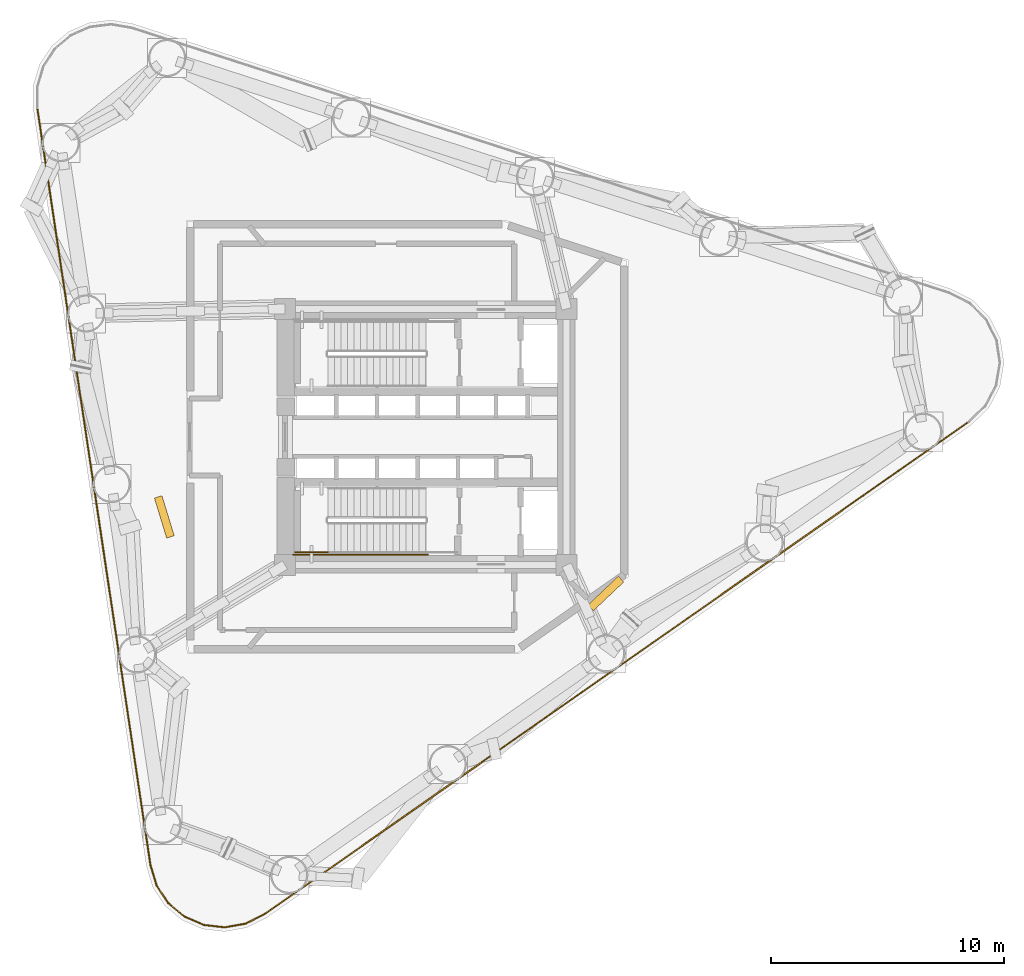
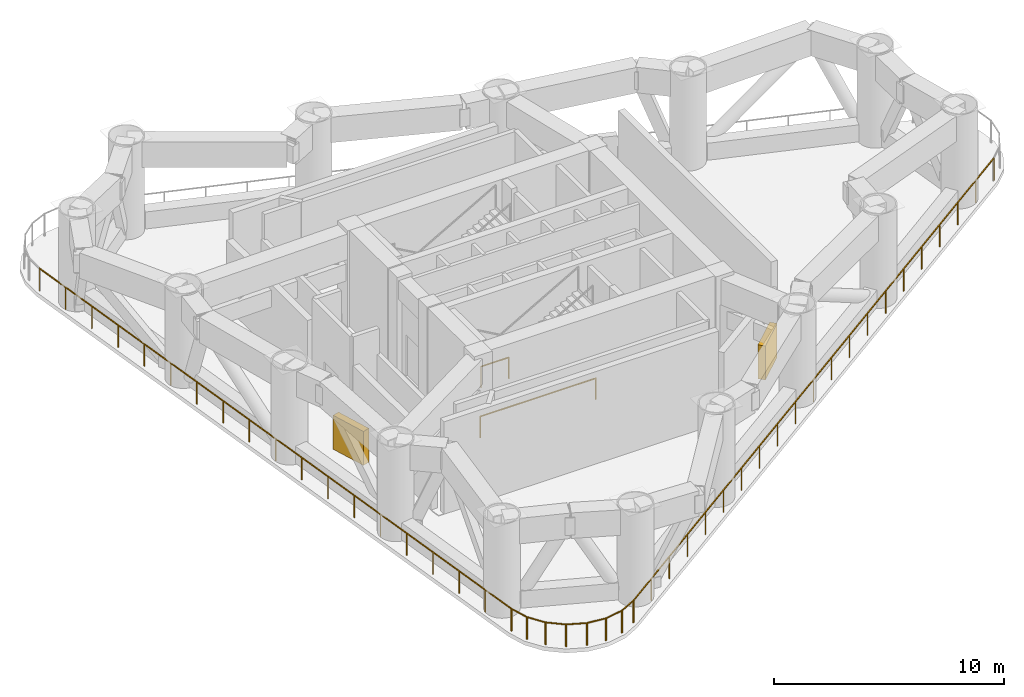
# One storey, part 6 of 8: 11 railings, 2 shading devices.
"""IFC4 building model written with IfcOpenShell, lengths in metres."""

import ifcopenshell
import ifcopenshell.guid

model = None  # the IFC model being written
_history = None  # IfcOwnerHistory: only IFC2X3 demands one
_inside = {}  # id of a spatial element -> (the spatial element, [elements in it])
_under = {}  # id of a project, library or spatial element -> (it, [spatial elements below it])
_declared = {}  # id of a project -> (the project, [libraries it declares])
_typed = {}  # id of a type object -> (the type object, [elements of that type])
_made_of = {}  # id of a material, layer set ... -> (it, [elements and type objects made of it])


def new_model(schema):
    """Start an empty IFC model of exactly this schema.

    Asked for "IFC4X3", IfcOpenShell would pick the latest addendum, in which some entities
    have other attributes; the version numbers below select the first issue.
    IFC2X3 requires an IfcOwnerHistory on every rooted entity: one is made here for all.
    """
    global model, _history
    if schema == "IFC4X3":
        model = ifcopenshell.file(schema_version=(4, 3, 0, 0))
    else:
        model = ifcopenshell.file(schema=schema)
    _inside.clear()
    _under.clear()
    _declared.clear()
    _typed.clear()
    _made_of.clear()
    _history = None
    if model.schema == "IFC2X3":
        org = make("IfcOrganization", Name="unknown")
        user = make(
            "IfcPersonAndOrganization",
            ThePerson=make("IfcPerson", FamilyName="unknown"),
            TheOrganization=org,
        )
        app = make(
            "IfcApplication",
            ApplicationDeveloper=org,
            Version="unknown",
            ApplicationFullName="unknown",
            ApplicationIdentifier="unknown",
        )
        _history = make(
            "IfcOwnerHistory",
            OwningUser=user,
            OwningApplication=app,
            ChangeAction="ADDED",
            CreationDate=0,
        )
    return model


def make(cls, **values):
    """One entity of the class cls with the attributes given. An attribute that is None is left unset."""
    return model.create_entity(
        cls, **{name: value for name, value in values.items() if value is not None}
    )


def rooted(cls, **values):
    """An entity with a GlobalId (a new one), such as an element, a storey or a relation."""
    return make(cls, GlobalId=ifcopenshell.guid.new(), OwnerHistory=_history, **values)


def si_unit(unit_type, name, prefix=None):
    """IfcSIUnit, for example si_unit("LENGTHUNIT", "METRE", prefix="MILLI")."""
    return make("IfcSIUnit", UnitType=unit_type, Prefix=prefix, Name=name)


def assignment(units):
    """IfcUnitAssignment: the units of a project."""
    return None if units is None else make("IfcUnitAssignment", Units=units)


def point(xyz):
    """IfcCartesianPoint."""
    return None if xyz is None else make("IfcCartesianPoint", Coordinates=xyz)


def direction(xyz):
    """IfcDirection."""
    return None if xyz is None else make("IfcDirection", DirectionRatios=xyz)


def frame(location, z_axis=None, x_axis=None):
    """IfcAxis2Placement3D, a coordinate frame: its origin and axes. An axis left out is left unset."""
    return make(
        "IfcAxis2Placement3D",
        Location=point(location),
        Axis=direction(z_axis),
        RefDirection=direction(x_axis),
    )


def frame_2d(location, x_axis=None):
    """IfcAxis2Placement2D, a coordinate frame in the plane: its origin and x axis."""
    return make(
        "IfcAxis2Placement2D", Location=point(location), RefDirection=direction(x_axis)
    )


def origin():
    """The frame at (0, 0, 0) with its axes left unset."""
    return frame((0.0, 0.0, 0.0))


def origin_2d():
    """The frame at (0, 0) in the plane with its x axis left unset."""
    return frame_2d((0.0, 0.0))


def place(relative_to, where):
    """IfcLocalPlacement: puts the frame where relative to a parent placement (None: the world)."""
    return make(
        "IfcLocalPlacement", PlacementRelTo=relative_to, RelativePlacement=where
    )


def context(
    kind, dimensions, precision=None, world=None, true_north=None, identifier=None
):
    """IfcGeometricRepresentationContext, for example the 3D "Model" context."""
    return make(
        "IfcGeometricRepresentationContext",
        ContextIdentifier=identifier,
        ContextType=kind,
        CoordinateSpaceDimension=dimensions,
        Precision=precision,
        WorldCoordinateSystem=world,
        TrueNorth=true_north,
    )


def subcontext(parent, identifier, kind, view, scale=None):
    """IfcGeometricRepresentationSubContext, for example "Body" below "Model"."""
    return make(
        "IfcGeometricRepresentationSubContext",
        ContextIdentifier=identifier,
        ContextType=kind,
        ParentContext=parent,
        TargetScale=scale,
        TargetView=view,
    )


def project(units=None, contexts=None):
    """IfcProject with its units and contexts."""
    return rooted(
        "IfcProject",
        Name="project",
        RepresentationContexts=contexts,
        UnitsInContext=assignment(units),
    )


def spatial(cls, under=None, at=None, **own):
    """A site, building, storey or space (cls), placed at a placement, below another one or the project."""
    s = rooted(cls, ObjectPlacement=at, **own)
    if under is not None:
        _under.setdefault(under.id(), (under, []))[1].append(s)
    return s


def profile(cls, at=None, kind="AREA", **sizes):
    """A parametric profile (cls). Its sizes go by their IFC names, for example OverallWidth=200.0."""
    return make(cls, ProfileType=kind, Position=at, **sizes)


def rectangle(**sizes):
    """IfcRectangleProfileDef."""
    return profile("IfcRectangleProfileDef", **sizes)


def extrude(swept, where, along, depth):
    """IfcExtrudedAreaSolid: the profile swept, set in the frame where, extruded along a direction by depth."""
    return make(
        "IfcExtrudedAreaSolid",
        SweptArea=swept,
        Position=where,
        ExtrudedDirection=direction(along),
        Depth=depth,
    )


def shape(context_of_items, identifier, shape_type, items):
    """IfcShapeRepresentation: the items that make up one representation, for example the "Body"."""
    return make(
        "IfcShapeRepresentation",
        ContextOfItems=context_of_items,
        RepresentationIdentifier=identifier,
        RepresentationType=shape_type,
        Items=items,
    )


def source(mapping_origin, context_of_items, identifier, shape_type, items):
    """IfcRepresentationMap: a shape defined once, which mapped items show again and again."""
    return make(
        "IfcRepresentationMap",
        MappingOrigin=mapping_origin,
        MappedRepresentation=shape(context_of_items, identifier, shape_type, items),
    )


def transform(
    local_origin,
    x_axis=None,
    y_axis=None,
    z_axis=None,
    scale=None,
    scale2=None,
    scale3=None,
    uniform=True,
):
    """IfcCartesianTransformationOperator3D, or its non-uniform kind. x_axis, y_axis, z_axis: its Axis1, 2, 3."""
    if uniform:
        return make(
            "IfcCartesianTransformationOperator3D",
            Axis1=direction(x_axis),
            Axis2=direction(y_axis),
            LocalOrigin=point(local_origin),
            Scale=scale,
            Axis3=direction(z_axis),
        )
    return make(
        "IfcCartesianTransformationOperator3DnonUniform",
        Axis1=direction(x_axis),
        Axis2=direction(y_axis),
        LocalOrigin=point(local_origin),
        Scale=scale,
        Axis3=direction(z_axis),
        Scale2=scale2,
        Scale3=scale3,
    )


def mapped(mapping_source, mapping_target):
    """IfcMappedItem: shows the shape of a source again, moved by a transform."""
    return make(
        "IfcMappedItem", MappingSource=mapping_source, MappingTarget=mapping_target
    )


def material(Name=None, Category=None):
    """IfcMaterial."""
    return make("IfcMaterial", Name=Name, Category=Category)


def layer(
    of_material, thickness, ventilated=None, Name=None, Category=None, Priority=None
):
    """IfcMaterialLayer: one layer of a wall or slab, of a material (None: an air gap)."""
    return make(
        "IfcMaterialLayer",
        Material=of_material,
        LayerThickness=thickness,
        IsVentilated=ventilated,
        Name=Name,
        Category=Category,
        Priority=Priority,
    )


def layer_set(layers, Name=None):
    """IfcMaterialLayerSet."""
    return make("IfcMaterialLayerSet", MaterialLayers=layers, LayerSetName=Name)


def made_of(thing, what):
    """Note that an element or type object is made of a material, layer set ...; save() writes the relation."""
    if what is not None:
        _made_of.setdefault(what.id(), (what, []))[1].append(thing)
    return thing


def type_object(cls, material=None, **own):
    """A type object (cls), such as IfcWallType, which elements share."""
    return made_of(rooted(cls, **own), material)


def element(
    cls,
    number,
    at=None,
    inside=None,
    cuts=None,
    type_object=None,
    material=None,
    context=None,
    identifier="Body",
    shape_type=None,
    held_by="IfcProductDefinitionShape",
    body=None,
    shapes=None,
    **own,
):
    """One element of the class cls, such as IfcWall. Its Tag is "e" and its number.

    at: its placement. inside: the storey or other place that contains it. cuts: it is an
    opening in that element (IfcRelVoidsElement). A single representation is given by context,
    identifier, shape_type and body (its items); several are given by shapes. held_by: the class
    of the entity that holds the representations. save() writes the other relations.
    """
    e = rooted(cls, Tag="e%d" % number, ObjectPlacement=at, **own)
    if body is not None:
        shapes = [shape(context, identifier, shape_type, body)]
    if shapes is not None:
        e.Representation = make(held_by, Representations=shapes)
    if inside is not None:
        _inside.setdefault(inside.id(), (inside, []))[1].append(e)
    if cuts is not None:
        rooted(
            "IfcRelVoidsElement", RelatingBuildingElement=cuts, RelatedOpeningElement=e
        )
    if type_object is not None:
        _typed.setdefault(type_object.id(), (type_object, []))[1].append(e)
    return made_of(e, material)


def aggregate(whole, parts):
    """IfcRelAggregates: a whole, such as a stair, and the parts it consists of."""
    return rooted("IfcRelAggregates", RelatingObject=whole, RelatedObjects=parts)


def save(model, path):
    """Write the relations noted so far, then the file.

    IfcRelAggregates (storeys below a building ...), IfcRelContainedInSpatialStructure (elements
    in a storey), IfcRelDefinesByType, IfcRelAssociatesMaterial and IfcRelDeclares: one each for
    every whole, place, type object, material and project.
    """
    for whole, parts in _under.values():
        aggregate(whole, parts)
    for where, things in _inside.values():
        rooted(
            "IfcRelContainedInSpatialStructure",
            RelatedElements=things,
            RelatingStructure=where,
        )
    for kind, things in _typed.values():
        rooted("IfcRelDefinesByType", RelatedObjects=things, RelatingType=kind)
    for what, things in _made_of.values():
        rooted("IfcRelAssociatesMaterial", RelatedObjects=things, RelatingMaterial=what)
    for by, libraries in _declared.values():
        rooted("IfcRelDeclares", RelatingContext=by, RelatedDefinitions=libraries)
    model.write(path)


model = new_model("IFC4")

# Units and contexts
model_context = context("Model", 3, precision=1e-05, world=origin(), true_north=direction((0.0, 1.0)))
body_context = subcontext(model_context, "Body", "Model", "MODEL_VIEW")
ifc_project = project(units=[si_unit("LENGTHUNIT", "METRE"), si_unit("AREAUNIT", "SQUARE_METRE"), si_unit("VOLUMEUNIT", "CUBIC_METRE"), si_unit("PLANEANGLEUNIT", "RADIAN"), si_unit("MASSUNIT", "GRAM", prefix="KILO")], contexts=[model_context])

# Site, building, storey
site_placement = place(None, origin())
site = spatial("IfcSite", under=ifc_project, at=site_placement, CompositionType="ELEMENT")
building_placement = place(site_placement, origin())
building = spatial("IfcBuilding", under=site, at=building_placement, Name="Yunling Apex Tower", CompositionType="ELEMENT")
storey_placement = place(building_placement, frame((0.0, 0.0, 84.800048828125)))
storey = spatial("IfcBuildingStorey", under=building, at=storey_placement, Name="RF2", CompositionType="ELEMENT", Elevation=84.800048828125)

# Railings
ifc_material_1 = material(Name="Bronze anodised aluminium", Category="aluminium")
railing_type_1 = type_object("IfcRailingType", Name="RL-BAL-1200", PredefinedType="BALUSTRADE", material=ifc_material_1)
railing_1_placement = place(storey_placement, frame((-11.8291015625, -18.40771484375, 0.0)))
element("IfcRailing", 1, at=railing_1_placement, inside=storey, type_object=railing_type_1, Name="RL-REF-RF2-01", PredefinedType="BALUSTRADE", context=body_context, shape_type="SweptSolid", body=[
    extrude(rectangle(XDim=0.0439453125, YDim=0.0439453125, at=origin_2d()), origin(), (0.0, 0.0, 1.0), 1.199951171875),
    extrude(rectangle(XDim=0.0439453125, YDim=0.0439453125, at=origin_2d()), frame((-4.864990234375, 32.552734375, 0.0)), (0.0, 0.0, 1.0), 1.199951171875),
    extrude(rectangle(XDim=0.050048828125, YDim=0.050048828125, at=origin_2d()), frame((-0.005615234375, 0.037841796875, 1.1748046875), z_axis=(-0.147807969363, 0.989016078834, 0.0), x_axis=(-0.989016078834, -0.147807969363, 0.0)), (0.0, 0.0, 1.0), 32.837646484375),
    extrude(rectangle(XDim=0.0439453125, YDim=0.0439453125, at=origin_2d()), frame((-0.270263671875, 1.80859375, 0.0)), (0.0, 0.0, 1.0), 1.14599609375),
    extrude(rectangle(XDim=0.0439453125, YDim=0.0439453125, at=origin_2d()), frame((-0.54052734375, 3.616943359375, 0.0)), (0.0, 0.0, 1.0), 1.14599609375),
    extrude(rectangle(XDim=0.0439453125, YDim=0.0439453125, at=origin_2d()), frame((-0.810791015625, 5.425537109375, 0.0)), (0.0, 0.0, 1.0), 1.14599609375),
    extrude(rectangle(XDim=0.0439453125, YDim=0.0439453125, at=origin_2d()), frame((-1.0810546875, 7.23388671875, 0.0)), (0.0, 0.0, 1.0), 1.14599609375),
    extrude(rectangle(XDim=0.0439453125, YDim=0.0439453125, at=origin_2d()), frame((-1.351318359375, 9.04248046875, 0.0)), (0.0, 0.0, 1.0), 1.14599609375),
    extrude(rectangle(XDim=0.0439453125, YDim=0.0439453125, at=origin_2d()), frame((-1.62158203125, 10.850830078125, 0.0)), (0.0, 0.0, 1.0), 1.14599609375),
    extrude(rectangle(XDim=0.0439453125, YDim=0.0439453125, at=origin_2d()), frame((-1.891845703125, 12.659423828125, 0.0)), (0.0, 0.0, 1.0), 1.14599609375),
    extrude(rectangle(XDim=0.0439453125, YDim=0.0439453125, at=origin_2d()), frame((-2.162109375, 14.4677734375, 0.0)), (0.0, 0.0, 1.0), 1.14599609375),
    extrude(rectangle(XDim=0.0439453125, YDim=0.0439453125, at=origin_2d()), frame((-2.4326171875, 16.2763671875, 0.0)), (0.0, 0.0, 1.0), 1.14599609375),
    extrude(rectangle(XDim=0.0439453125, YDim=0.0439453125, at=origin_2d()), frame((-2.702880859375, 18.0849609375, 0.0)), (0.0, 0.0, 1.0), 1.14599609375),
    extrude(rectangle(XDim=0.0439453125, YDim=0.0439453125, at=origin_2d()), frame((-2.97314453125, 19.893310546875, 0.0)), (0.0, 0.0, 1.0), 1.14599609375),
    extrude(rectangle(XDim=0.0439453125, YDim=0.0439453125, at=origin_2d()), frame((-3.243408203125, 21.701904296875, 0.0)), (0.0, 0.0, 1.0), 1.14599609375),
    extrude(rectangle(XDim=0.0439453125, YDim=0.0439453125, at=origin_2d()), frame((-3.513671875, 23.51025390625, 0.0)), (0.0, 0.0, 1.0), 1.14599609375),
    extrude(rectangle(XDim=0.0439453125, YDim=0.0439453125, at=origin_2d()), frame((-3.783935546875, 25.31884765625, 0.0)), (0.0, 0.0, 1.0), 1.14599609375),
    extrude(rectangle(XDim=0.0439453125, YDim=0.0439453125, at=origin_2d()), frame((-4.05419921875, 27.127197265625, 0.0)), (0.0, 0.0, 1.0), 1.14599609375),
    extrude(rectangle(XDim=0.0439453125, YDim=0.0439453125, at=origin_2d()), frame((-4.324462890625, 28.935791015625, 0.0)), (0.0, 0.0, 1.0), 1.14599609375),
    extrude(rectangle(XDim=0.0439453125, YDim=0.0439453125, at=origin_2d()), frame((-4.5947265625, 30.744140625, 0.0)), (0.0, 0.0, 1.0), 1.14599609375),
])
railing_2_placement = place(storey_placement, frame((23.326416015625, 0.6533203125, 0.0)))
element("IfcRailing", 2, at=railing_2_placement, inside=storey, type_object=railing_type_1, Name="RL-REF-RF2-17", PredefinedType="BALUSTRADE", context=body_context, shape_type="SweptSolid", body=[
    extrude(rectangle(XDim=0.0439453125, YDim=0.0439453125, at=origin_2d()), origin(), (0.0, 0.0, 1.0), 1.199951171875),
    extrude(rectangle(XDim=0.0439453125, YDim=0.0439453125, at=origin_2d()), frame((-30.268310546875, -21.162841796875, 0.0)), (0.0, 0.0, 1.0), 1.199951171875),
    extrude(rectangle(XDim=0.050048828125, YDim=0.050048828125, at=origin_2d()), frame((-0.031494140625, -0.02197265625, 1.1748046875), z_axis=(-0.819549492788, -0.573008402095, 0.0), x_axis=(0.573008402095, -0.819549492788, 0.0)), (0.0, 0.0, 1.0), 36.856201171875),
    extrude(rectangle(XDim=0.0439453125, YDim=0.0439453125, at=origin_2d()), frame((-1.513427734375, -1.05810546875, 0.0)), (0.0, 0.0, 1.0), 1.14599609375),
    extrude(rectangle(XDim=0.0439453125, YDim=0.0439453125, at=origin_2d()), frame((-3.02685546875, -2.1162109375, 0.0)), (0.0, 0.0, 1.0), 1.14599609375),
    extrude(rectangle(XDim=0.0439453125, YDim=0.0439453125, at=origin_2d()), frame((-4.540283203125, -3.17431640625, 0.0)), (0.0, 0.0, 1.0), 1.14599609375),
    extrude(rectangle(XDim=0.0439453125, YDim=0.0439453125, at=origin_2d()), frame((-6.0537109375, -4.232666015625, 0.0)), (0.0, 0.0, 1.0), 1.14599609375),
    extrude(rectangle(XDim=0.0439453125, YDim=0.0439453125, at=origin_2d()), frame((-7.567138671875, -5.290771484375, 0.0)), (0.0, 0.0, 1.0), 1.14599609375),
    extrude(rectangle(XDim=0.0439453125, YDim=0.0439453125, at=origin_2d()), frame((-9.08056640625, -6.348876953125, 0.0)), (0.0, 0.0, 1.0), 1.14599609375),
    extrude(rectangle(XDim=0.0439453125, YDim=0.0439453125, at=origin_2d()), frame((-10.593994140625, -7.406982421875, 0.0)), (0.0, 0.0, 1.0), 1.14599609375),
    extrude(rectangle(XDim=0.0439453125, YDim=0.0439453125, at=origin_2d()), frame((-12.107421875, -8.465087890625, 0.0)), (0.0, 0.0, 1.0), 1.14599609375),
    extrude(rectangle(XDim=0.0439453125, YDim=0.0439453125, at=origin_2d()), frame((-13.620849609375, -9.523193359375, 0.0)), (0.0, 0.0, 1.0), 1.14599609375),
    extrude(rectangle(XDim=0.0439453125, YDim=0.0439453125, at=origin_2d()), frame((-15.13427734375, -10.58154296875, 0.0)), (0.0, 0.0, 1.0), 1.14599609375),
    extrude(rectangle(XDim=0.0439453125, YDim=0.0439453125, at=origin_2d()), frame((-16.6474609375, -11.6396484375, 0.0)), (0.0, 0.0, 1.0), 1.14599609375),
    extrude(rectangle(XDim=0.0439453125, YDim=0.0439453125, at=origin_2d()), frame((-18.160888671875, -12.69775390625, 0.0)), (0.0, 0.0, 1.0), 1.14599609375),
    extrude(rectangle(XDim=0.0439453125, YDim=0.0439453125, at=origin_2d()), frame((-19.67431640625, -13.755859375, 0.0)), (0.0, 0.0, 1.0), 1.14599609375),
    extrude(rectangle(XDim=0.0439453125, YDim=0.0439453125, at=origin_2d()), frame((-21.187744140625, -14.81396484375, 0.0)), (0.0, 0.0, 1.0), 1.14599609375),
    extrude(rectangle(XDim=0.0439453125, YDim=0.0439453125, at=origin_2d()), frame((-22.701171875, -15.8720703125, 0.0)), (0.0, 0.0, 1.0), 1.14599609375),
    extrude(rectangle(XDim=0.0439453125, YDim=0.0439453125, at=origin_2d()), frame((-24.214599609375, -16.93017578125, 0.0)), (0.0, 0.0, 1.0), 1.14599609375),
    extrude(rectangle(XDim=0.0439453125, YDim=0.0439453125, at=origin_2d()), frame((-25.72802734375, -17.988525390625, 0.0)), (0.0, 0.0, 1.0), 1.14599609375),
    extrude(rectangle(XDim=0.0439453125, YDim=0.0439453125, at=origin_2d()), frame((-27.241455078125, -19.046630859375, 0.0)), (0.0, 0.0, 1.0), 1.14599609375),
    extrude(rectangle(XDim=0.0439453125, YDim=0.0439453125, at=origin_2d()), frame((-28.7548828125, -20.104736328125, 0.0)), (0.0, 0.0, 1.0), 1.14599609375),
])
railing_3_placement = place(storey_placement, frame((-6.916015625, -20.494384765625, 0.0)))
element("IfcRailing", 3, at=railing_3_placement, inside=storey, type_object=railing_type_1, Name="RL-REF-RF2-18", PredefinedType="BALUSTRADE", context=body_context, shape_type="SweptSolid", body=[
    extrude(rectangle(XDim=0.0439453125, YDim=0.0439453125, at=origin_2d()), origin(), (0.0, 0.0, 1.0), 1.199951171875),
    extrude(rectangle(XDim=0.0439453125, YDim=0.0439453125, at=origin_2d()), frame((-0.847900390625, -0.425048828125, 0.0)), (0.0, 0.0, 1.0), 1.199951171875),
    extrude(rectangle(XDim=0.050048828125, YDim=0.050048828125, at=origin_2d()), frame((-0.0341796875, -0.01708984375, 1.1748046875), z_axis=(-0.893963384146, -0.448140009156, 0.0), x_axis=(0.448140009156, -0.893963384146, 0.0)), (0.0, 0.0, 1.0), 0.871826171875),
])
railing_4_placement = place(storey_placement, frame((-7.735595703125, -20.91015625, 0.0)))
element("IfcRailing", 4, at=railing_4_placement, inside=storey, type_object=railing_type_1, Name="RL-REF-RF2-19", PredefinedType="BALUSTRADE", context=body_context, shape_type="SweptSolid", body=[
    extrude(rectangle(XDim=0.0439453125, YDim=0.0439453125, at=origin_2d()), origin(), (0.0, 0.0, 1.0), 1.199951171875),
    extrude(rectangle(XDim=0.0439453125, YDim=0.0439453125, at=origin_2d()), frame((-0.9208984375, -0.162353515625, 0.0)), (0.0, 0.0, 1.0), 1.199951171875),
    extrude(rectangle(XDim=0.050048828125, YDim=0.050048828125, at=origin_2d()), frame((-0.037841796875, -0.006591796875, 1.1748046875), z_axis=(-0.984812457282, -0.173621496313, 0.0), x_axis=(0.173621496313, -0.984812457282, 0.0)), (0.0, 0.0, 1.0), 0.8583984375),
])
railing_5_placement = place(storey_placement, frame((-8.626953125, -21.07177734375, 0.0)))
element("IfcRailing", 5, at=railing_5_placement, inside=storey, type_object=railing_type_1, Name="RL-REF-RF2-20", PredefinedType="BALUSTRADE", context=body_context, shape_type="SweptSolid", body=[
    extrude(rectangle(XDim=0.0439453125, YDim=0.0439453125, at=origin_2d()), origin(), (0.0, 0.0, 1.0), 1.199951171875),
    extrude(rectangle(XDim=0.0439453125, YDim=0.0439453125, at=origin_2d()), frame((-0.9287109375, 0.108154296875, 0.0)), (0.0, 0.0, 1.0), 1.199951171875),
    extrude(rectangle(XDim=0.050048828125, YDim=0.050048828125, at=origin_2d()), frame((-0.0380859375, 0.00439453125, 1.1748046875), z_axis=(-0.99328716132, 0.115674608955, 0.0), x_axis=(-0.115674608955, -0.99328716132, 0.0)), (0.0, 0.0, 1.0), 0.8583984375),
])
railing_6_placement = place(storey_placement, frame((-9.527099609375, -20.971435546875, 0.0)))
element("IfcRailing", 6, at=railing_6_placement, inside=storey, type_object=railing_type_1, Name="RL-REF-RF2-21", PredefinedType="BALUSTRADE", context=body_context, shape_type="SweptSolid", body=[
    extrude(rectangle(XDim=0.0439453125, YDim=0.0439453125, at=origin_2d()), origin(), (0.0, 0.0, 1.0), 1.199951171875),
    extrude(rectangle(XDim=0.0439453125, YDim=0.0439453125, at=origin_2d()), frame((-0.85888671875, 0.36962890625, 0.0)), (0.0, 0.0, 1.0), 1.199951171875),
    extrude(rectangle(XDim=0.050048828125, YDim=0.050048828125, at=origin_2d()), frame((-0.03515625, 0.01513671875, 1.1748046875), z_axis=(-0.918549756668, 0.395305381352, 0.0), x_axis=(-0.395305381352, -0.918549756668, 0.0)), (0.0, 0.0, 1.0), 0.8583984375),
])
railing_7_placement = place(storey_placement, frame((-10.36083984375, -20.617431640625, 0.0)))
element("IfcRailing", 7, at=railing_7_placement, inside=storey, type_object=railing_type_1, Name="RL-REF-RF2-22", PredefinedType="BALUSTRADE", context=body_context, shape_type="SweptSolid", body=[
    extrude(rectangle(XDim=0.0439453125, YDim=0.0439453125, at=origin_2d()), origin(), (0.0, 0.0, 1.0), 1.199951171875),
    extrude(rectangle(XDim=0.0439453125, YDim=0.0439453125, at=origin_2d()), frame((-0.71728515625, 0.599853515625, 0.0)), (0.0, 0.0, 1.0), 1.199951171875),
    extrude(rectangle(XDim=0.050048828125, YDim=0.050048828125, at=origin_2d()), frame((-0.029296875, 0.024658203125, 1.1748046875), z_axis=(-0.767107240207, 0.641518886722, 0.0), x_axis=(-0.641518886722, -0.767107240207, 0.0)), (0.0, 0.0, 1.0), 0.8583984375),
])
railing_8_placement = place(storey_placement, frame((-11.058349609375, -20.039794921875, 0.0)))
element("IfcRailing", 8, at=railing_8_placement, inside=storey, type_object=railing_type_1, Name="RL-REF-RF2-23", PredefinedType="BALUSTRADE", context=body_context, shape_type="SweptSolid", body=[
    extrude(rectangle(XDim=0.0439453125, YDim=0.0439453125, at=origin_2d()), origin(), (0.0, 0.0, 1.0), 1.199951171875),
    extrude(rectangle(XDim=0.0439453125, YDim=0.0439453125, at=origin_2d()), frame((-0.515625, 0.7802734375, 0.0)), (0.0, 0.0, 1.0), 1.199951171875),
    extrude(rectangle(XDim=0.050048828125, YDim=0.050048828125, at=origin_2d()), frame((-0.021240234375, 0.031982421875, 1.1748046875), z_axis=(-0.551322162285, 0.834292438761, 0.0), x_axis=(-0.834292438761, -0.551322162285, 0.0)), (0.0, 0.0, 1.0), 0.858642578125),
])
railing_9_placement = place(storey_placement, frame((-11.561279296875, -19.286376953125, 0.0)))
element("IfcRailing", 9, at=railing_9_placement, inside=storey, type_object=railing_type_1, Name="RL-REF-RF2-24", PredefinedType="BALUSTRADE", context=body_context, shape_type="SweptSolid", body=[
    extrude(rectangle(XDim=0.0439453125, YDim=0.0439453125, at=origin_2d()), origin(), (0.0, 0.0, 1.0), 1.199951171875),
    extrude(rectangle(XDim=0.0439453125, YDim=0.0439453125, at=origin_2d()), frame((-0.2744140625, 0.90771484375, 0.0)), (0.0, 0.0, 1.0), 1.199951171875),
    extrude(rectangle(XDim=0.050048828125, YDim=0.050048828125, at=origin_2d()), frame((-0.010986328125, 0.03662109375, 1.1748046875), z_axis=(-0.289378529472, 0.957214744287, 0.0), x_axis=(-0.957214744287, -0.289378529472, 0.0)), (0.0, 0.0, 1.0), 0.87158203125),
])
ifc_material_2 = material(Name="Steel Q355B", Category="steel")
railing_type_2 = type_object("IfcRailingType", Name="RL-GRD-1150", PredefinedType="GUARDRAIL", material=ifc_material_2)
railing_10_placement = place(storey_placement, frame((-4.2099609375, -4.9599609375, 2.550048828125)))
element("IfcRailing", 10, at=railing_10_placement, inside=storey, type_object=railing_type_2, Name="RF2 ST-2 stair guard 3", PredefinedType="GUARDRAIL", context=body_context, shape_type="SweptSolid", body=[
    extrude(rectangle(XDim=0.0439453125, YDim=0.0439453125, at=origin_2d()), origin(), (0.0, 0.0, 1.0), 1.14990234375),
    extrude(rectangle(XDim=0.0439453125, YDim=0.0439453125, at=origin_2d()), frame((-1.39013671875, 0.0, 0.0)), (0.0, 0.0, 1.0), 1.14990234375),
    extrude(rectangle(XDim=0.050048828125, YDim=0.050048828125, at=origin_2d()), frame((-0.038330078125, 0.0, 1.125), z_axis=(-1.0, 0.0, 0.0), x_axis=(0.0, -1.0, 0.0)), (0.0, 0.0, 1.0), 1.3134765625),
])
railing_11_placement = place(storey_placement, frame((0.090087890625, -5.06005859375, 0.0)))
element("IfcRailing", 11, at=railing_11_placement, inside=storey, type_object=railing_type_2, Name="RF2 ST-2 stair guard 7", PredefinedType="GUARDRAIL", context=body_context, shape_type="SweptSolid", body=[
    extrude(rectangle(XDim=0.0439453125, YDim=0.0439453125, at=origin_2d()), origin(), (0.0, 0.0, 1.0), 1.14990234375),
    extrude(rectangle(XDim=0.0439453125, YDim=0.0439453125, at=origin_2d()), frame((-5.7900390625, 0.0, 0.0)), (0.0, 0.0, 1.0), 1.14990234375),
    extrude(rectangle(XDim=0.050048828125, YDim=0.050048828125, at=origin_2d()), frame((-0.038330078125, 0.0, 1.125), z_axis=(-1.0, 0.0, 0.0), x_axis=(0.0, -1.0, 0.0)), (0.0, 0.0, 1.0), 5.71337890625),
])

# Shading devices
ifc_layer = layer(ifc_material_1, 0.1201171875)
ifc_layer_set = layer_set([ifc_layer], Name="Bronze anodised aluminium")
shading_device_type = type_object("IfcShadingDeviceType", Name="LV-BRZ-1", PredefinedType="USERDEFINED", material=ifc_layer_set)
shared_shape = source(origin(), body_context, "Body", "SweptSolid", [
    extrude(rectangle(XDim=1.800048828125, YDim=0.340087890625, at=origin_2d()), origin(), (0.0, 0.0, 1.0), 1.800048828125),
])
for number, where, z_axis, x_axis, name in (
    (12, (-11.235107421875, -3.434814453125, 0.0), (0.0, 0.0, 1.0), (-0.292371704723, 0.956304755963, 0.0), "LV-REF-RF2-1"),
    (13, (7.736083984375, -6.725341796875, 0.0), (0.0, 0.0, 1.0), (-0.725854756355, -0.687848001144, 0.0), "LV-REF-RF2-2"),
):
    element("IfcShadingDevice", number, at=place(storey_placement, frame(where, z_axis=z_axis, x_axis=x_axis)), inside=storey, type_object=shading_device_type, Name=name, ObjectType="LOUVRE", PredefinedType="USERDEFINED", context=body_context, shape_type="MappedRepresentation", body=[
        mapped(shared_shape, transform((0.0, 0.0, 0.0), scale=1.0)),
    ])

save(model, "model.ifc")
